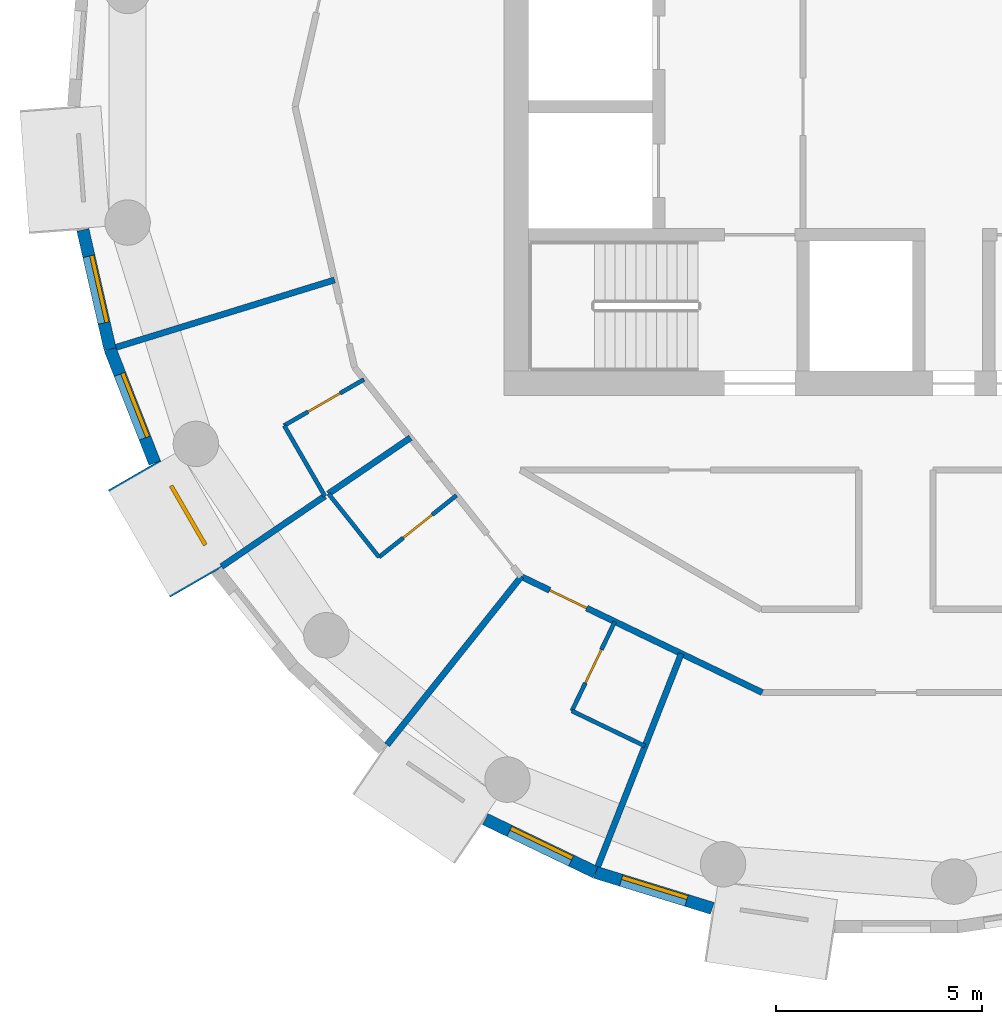
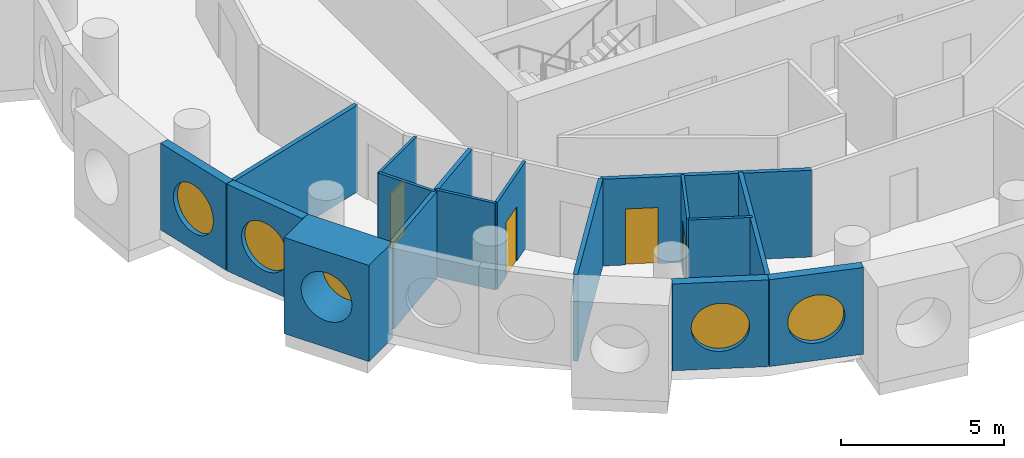
# One storey, part 2 of 13: 17 walls, 5 windows, 4 doors, 9 openings.
"""IFC4 building model written with IfcOpenShell, lengths in metres."""

import ifcopenshell
import ifcopenshell.guid

model = None  # the IFC model being written
_history = None  # IfcOwnerHistory: only IFC2X3 demands one
_inside = {}  # id of a spatial element -> (the spatial element, [elements in it])
_under = {}  # id of a project, library or spatial element -> (it, [spatial elements below it])
_declared = {}  # id of a project -> (the project, [libraries it declares])
_typed = {}  # id of a type object -> (the type object, [elements of that type])
_made_of = {}  # id of a material, layer set ... -> (it, [elements and type objects made of it])


def new_model(schema):
    """Start an empty IFC model of exactly this schema.

    Asked for "IFC4X3", IfcOpenShell would pick the latest addendum, in which some entities
    have other attributes; the version numbers below select the first issue.
    IFC2X3 requires an IfcOwnerHistory on every rooted entity: one is made here for all.
    """
    global model, _history
    if schema == "IFC4X3":
        model = ifcopenshell.file(schema_version=(4, 3, 0, 0))
    else:
        model = ifcopenshell.file(schema=schema)
    _inside.clear()
    _under.clear()
    _declared.clear()
    _typed.clear()
    _made_of.clear()
    _history = None
    if model.schema == "IFC2X3":
        org = make("IfcOrganization", Name="unknown")
        user = make(
            "IfcPersonAndOrganization",
            ThePerson=make("IfcPerson", FamilyName="unknown"),
            TheOrganization=org,
        )
        app = make(
            "IfcApplication",
            ApplicationDeveloper=org,
            Version="unknown",
            ApplicationFullName="unknown",
            ApplicationIdentifier="unknown",
        )
        _history = make(
            "IfcOwnerHistory",
            OwningUser=user,
            OwningApplication=app,
            ChangeAction="ADDED",
            CreationDate=0,
        )
    return model


def make(cls, **values):
    """One entity of the class cls with the attributes given. An attribute that is None is left unset."""
    return model.create_entity(
        cls, **{name: value for name, value in values.items() if value is not None}
    )


def rooted(cls, **values):
    """An entity with a GlobalId (a new one), such as an element, a storey or a relation."""
    return make(cls, GlobalId=ifcopenshell.guid.new(), OwnerHistory=_history, **values)


def si_unit(unit_type, name, prefix=None):
    """IfcSIUnit, for example si_unit("LENGTHUNIT", "METRE", prefix="MILLI")."""
    return make("IfcSIUnit", UnitType=unit_type, Prefix=prefix, Name=name)


def assignment(units):
    """IfcUnitAssignment: the units of a project."""
    return None if units is None else make("IfcUnitAssignment", Units=units)


def point(xyz):
    """IfcCartesianPoint."""
    return None if xyz is None else make("IfcCartesianPoint", Coordinates=xyz)


def direction(xyz):
    """IfcDirection."""
    return None if xyz is None else make("IfcDirection", DirectionRatios=xyz)


def frame(location, z_axis=None, x_axis=None):
    """IfcAxis2Placement3D, a coordinate frame: its origin and axes. An axis left out is left unset."""
    return make(
        "IfcAxis2Placement3D",
        Location=point(location),
        Axis=direction(z_axis),
        RefDirection=direction(x_axis),
    )


def frame_2d(location, x_axis=None):
    """IfcAxis2Placement2D, a coordinate frame in the plane: its origin and x axis."""
    return make(
        "IfcAxis2Placement2D", Location=point(location), RefDirection=direction(x_axis)
    )


def origin():
    """The frame at (0, 0, 0) with its axes left unset."""
    return frame((0.0, 0.0, 0.0))


def origin_2d():
    """The frame at (0, 0) in the plane with its x axis left unset."""
    return frame_2d((0.0, 0.0))


def place(relative_to, where):
    """IfcLocalPlacement: puts the frame where relative to a parent placement (None: the world)."""
    return make(
        "IfcLocalPlacement", PlacementRelTo=relative_to, RelativePlacement=where
    )


def context(
    kind, dimensions, precision=None, world=None, true_north=None, identifier=None
):
    """IfcGeometricRepresentationContext, for example the 3D "Model" context."""
    return make(
        "IfcGeometricRepresentationContext",
        ContextIdentifier=identifier,
        ContextType=kind,
        CoordinateSpaceDimension=dimensions,
        Precision=precision,
        WorldCoordinateSystem=world,
        TrueNorth=true_north,
    )


def subcontext(parent, identifier, kind, view, scale=None):
    """IfcGeometricRepresentationSubContext, for example "Body" below "Model"."""
    return make(
        "IfcGeometricRepresentationSubContext",
        ContextIdentifier=identifier,
        ContextType=kind,
        ParentContext=parent,
        TargetScale=scale,
        TargetView=view,
    )


def project(units=None, contexts=None):
    """IfcProject with its units and contexts."""
    return rooted(
        "IfcProject",
        Name="project",
        RepresentationContexts=contexts,
        UnitsInContext=assignment(units),
    )


def spatial(cls, under=None, at=None, **own):
    """A site, building, storey or space (cls), placed at a placement, below another one or the project."""
    s = rooted(cls, ObjectPlacement=at, **own)
    if under is not None:
        _under.setdefault(under.id(), (under, []))[1].append(s)
    return s


def profile(cls, at=None, kind="AREA", **sizes):
    """A parametric profile (cls). Its sizes go by their IFC names, for example OverallWidth=200.0."""
    return make(cls, ProfileType=kind, Position=at, **sizes)


def rectangle(**sizes):
    """IfcRectangleProfileDef."""
    return profile("IfcRectangleProfileDef", **sizes)


def circle(**sizes):
    """IfcCircleProfileDef."""
    return profile("IfcCircleProfileDef", **sizes)


def extrude(swept, where, along, depth):
    """IfcExtrudedAreaSolid: the profile swept, set in the frame where, extruded along a direction by depth."""
    return make(
        "IfcExtrudedAreaSolid",
        SweptArea=swept,
        Position=where,
        ExtrudedDirection=direction(along),
        Depth=depth,
    )


def shape(context_of_items, identifier, shape_type, items):
    """IfcShapeRepresentation: the items that make up one representation, for example the "Body"."""
    return make(
        "IfcShapeRepresentation",
        ContextOfItems=context_of_items,
        RepresentationIdentifier=identifier,
        RepresentationType=shape_type,
        Items=items,
    )


def material(Name=None, Category=None):
    """IfcMaterial."""
    return make("IfcMaterial", Name=Name, Category=Category)


def layer(
    of_material, thickness, ventilated=None, Name=None, Category=None, Priority=None
):
    """IfcMaterialLayer: one layer of a wall or slab, of a material (None: an air gap)."""
    return make(
        "IfcMaterialLayer",
        Material=of_material,
        LayerThickness=thickness,
        IsVentilated=ventilated,
        Name=Name,
        Category=Category,
        Priority=Priority,
    )


def layer_set(layers, Name=None):
    """IfcMaterialLayerSet."""
    return make("IfcMaterialLayerSet", MaterialLayers=layers, LayerSetName=Name)


def made_of(thing, what):
    """Note that an element or type object is made of a material, layer set ...; save() writes the relation."""
    if what is not None:
        _made_of.setdefault(what.id(), (what, []))[1].append(thing)
    return thing


def type_object(cls, material=None, **own):
    """A type object (cls), such as IfcWallType, which elements share."""
    return made_of(rooted(cls, **own), material)


def element(
    cls,
    number,
    at=None,
    inside=None,
    cuts=None,
    type_object=None,
    material=None,
    context=None,
    identifier="Body",
    shape_type=None,
    held_by="IfcProductDefinitionShape",
    body=None,
    shapes=None,
    **own,
):
    """One element of the class cls, such as IfcWall. Its Tag is "e" and its number.

    at: its placement. inside: the storey or other place that contains it. cuts: it is an
    opening in that element (IfcRelVoidsElement). A single representation is given by context,
    identifier, shape_type and body (its items); several are given by shapes. held_by: the class
    of the entity that holds the representations. save() writes the other relations.
    """
    e = rooted(cls, Tag="e%d" % number, ObjectPlacement=at, **own)
    if body is not None:
        shapes = [shape(context, identifier, shape_type, body)]
    if shapes is not None:
        e.Representation = make(held_by, Representations=shapes)
    if inside is not None:
        _inside.setdefault(inside.id(), (inside, []))[1].append(e)
    if cuts is not None:
        rooted(
            "IfcRelVoidsElement", RelatingBuildingElement=cuts, RelatedOpeningElement=e
        )
    if type_object is not None:
        _typed.setdefault(type_object.id(), (type_object, []))[1].append(e)
    return made_of(e, material)


def fill(opening, filler):
    """IfcRelFillsElement: the door or window that sits in an opening."""
    return rooted(
        "IfcRelFillsElement",
        RelatingOpeningElement=opening,
        RelatedBuildingElement=filler,
    )


def aggregate(whole, parts):
    """IfcRelAggregates: a whole, such as a stair, and the parts it consists of."""
    return rooted("IfcRelAggregates", RelatingObject=whole, RelatedObjects=parts)


def save(model, path):
    """Write the relations noted so far, then the file.

    IfcRelAggregates (storeys below a building ...), IfcRelContainedInSpatialStructure (elements
    in a storey), IfcRelDefinesByType, IfcRelAssociatesMaterial and IfcRelDeclares: one each for
    every whole, place, type object, material and project.
    """
    for whole, parts in _under.values():
        aggregate(whole, parts)
    for where, things in _inside.values():
        rooted(
            "IfcRelContainedInSpatialStructure",
            RelatedElements=things,
            RelatingStructure=where,
        )
    for kind, things in _typed.values():
        rooted("IfcRelDefinesByType", RelatedObjects=things, RelatingType=kind)
    for what, things in _made_of.values():
        rooted("IfcRelAssociatesMaterial", RelatedObjects=things, RelatingMaterial=what)
    for by, libraries in _declared.values():
        rooted("IfcRelDeclares", RelatingContext=by, RelatedDefinitions=libraries)
    model.write(path)


model = new_model("IFC4")

# Units and contexts
model_context = context("Model", 3, precision=1e-05, world=origin(), true_north=direction((0.0, 1.0)))
body_context = subcontext(model_context, "Body", "Model", "MODEL_VIEW")
ifc_project = project(units=[si_unit("LENGTHUNIT", "METRE"), si_unit("AREAUNIT", "SQUARE_METRE"), si_unit("VOLUMEUNIT", "CUBIC_METRE"), si_unit("PLANEANGLEUNIT", "RADIAN"), si_unit("MASSUNIT", "GRAM", prefix="KILO")], contexts=[model_context])

# Site, building, storey
site_placement = place(None, origin())
site = spatial("IfcSite", under=ifc_project, at=site_placement, CompositionType="ELEMENT")
building_placement = place(site_placement, origin())
building = spatial("IfcBuilding", under=site, at=building_placement, Name="Tracery Tower", CompositionType="ELEMENT")
storey_placement = place(building_placement, frame((0.0, 0.0, 252.60009765625)))
storey = spatial("IfcBuildingStorey", under=building, at=storey_placement, Name="L65", CompositionType="ELEMENT", Elevation=252.60009765625)

# Wall, opening, window
ifc_material_1 = material(Name="Precast concrete C50/60", Category="concrete")
ifc_layer_1 = layer(ifc_material_1, 1.449951171875)
ifc_layer_set_1 = layer_set([ifc_layer_1], Name="Deep-set bay unit 3000 x 3600, slab edge 350")
wall_type_1 = type_object("IfcWallType", Name="Deep-set bay unit 3000 x 3600, slab edge 350", PredefinedType="ELEMENTEDWALL", material=ifc_layer_set_1)
wall_1_placement = place(storey_placement, frame((-18.452392578125, -8.92138671875, -0.35009765625), z_axis=(0.0, 0.0, 1.0), x_axis=(0.499990139034, -0.866031096941, 0.0)))
wall_1 = element("IfcWall", 1, at=wall_1_placement, inside=storey, type_object=wall_type_1, Name="Deep-set bay unit 25 at L65", PredefinedType="ELEMENTEDWALL", context=body_context, shape_type="SweptSolid", body=[
    extrude(rectangle(XDim=3.0, YDim=1.449951171875, at=frame_2d((1.5, 0.0))), origin(), (0.0, 0.0, 1.0), 3.60009765625),
])
opening_1_placement = place(wall_1_placement, frame((1.5, 0.0, 1.89990234375)))
opening_1 = element("IfcOpeningElement", 2, at=opening_1_placement, cuts=wall_1, Name="Opening WN1", PredefinedType="OPENING", context=body_context, shape_type="SweptSolid", body=[
    extrude(circle(Radius=0.9000244140625, at=origin_2d()), frame((0.0, 0.73486328125, 0.0), z_axis=(0.0, -1.0, 0.0), x_axis=(1.0, 0.0, 0.0)), (0.0, 0.0, 1.0), 1.469970703125),
])
ifc_material_2 = material(Name="Aluminium frame with tinted double glazing", Category="aluminium")
window_type = type_object("IfcWindowType", Name="Round window 1800", PartitioningType="SINGLE_PANEL", PredefinedType="WINDOW", material=ifc_material_2)
window_1_placement = place(opening_1_placement, origin())
window_1 = element("IfcWindow", 3, at=window_1_placement, inside=storey, type_object=window_type, Name="Round window 25 at L65", OverallHeight=1.800048828125, OverallWidth=1.800048828125, PartitioningType="SINGLE_PANEL", PredefinedType="WINDOW", context=body_context, shape_type="SweptSolid", body=[
    extrude(circle(Radius=0.9000244140625, at=origin_2d()), frame((0.0, 0.69482421875, 0.0), z_axis=(0.0, -1.0, 0.0), x_axis=(1.0, 0.0, 0.0)), (0.0, 0.0, 1.0), 0.10009765625),
])
fill(opening_1, window_1)

ifc_material_3 = material(Name="Precast concrete C50/60", Category="concrete")
ifc_layer_2 = layer(ifc_material_3, 0.300048828125)
ifc_layer_set_2 = layer_set([ifc_layer_2], Name="Facade panel 3000 x 3250")
wall_type_2 = type_object("IfcWallType", Name="Facade panel 3000 x 3250", PredefinedType="SOLIDWALL", material=ifc_layer_set_2)
wall_2_placement = place(storey_placement, frame((-19.69580078125, -2.984130859375, 0.0), z_axis=(0.0, 0.0, 1.0), x_axis=(0.222529389789, -0.974925982155, 0.0)))
wall_2 = element("IfcWall", 4, at=wall_2_placement, inside=storey, type_object=wall_type_2, Name="Facade panel 23 at L65", PredefinedType="SOLIDWALL", context=body_context, shape_type="SweptSolid", body=[
    extrude(rectangle(XDim=2.962158203125, YDim=0.300048828125, at=frame_2d((1.48095703125, 0.0))), origin(), (0.0, 0.0, 1.0), 3.25),
])
opening_2_placement = place(wall_2_placement, frame((1.48095703125, 0.0, 1.5498046875)))
opening_2 = element("IfcOpeningElement", 5, at=opening_2_placement, cuts=wall_2, Name="Opening WN1", PredefinedType="OPENING", context=body_context, shape_type="SweptSolid", body=[
    extrude(circle(Radius=0.9000244140625, at=origin_2d()), frame((0.0, 0.159912109375, 0.0), z_axis=(0.0, -1.0, 0.0), x_axis=(1.0, 0.0, 0.0)), (0.0, 0.0, 1.0), 0.320068359375),
])
window_2_placement = place(opening_2_placement, origin())
window_2 = element("IfcWindow", 6, at=window_2_placement, inside=storey, type_object=window_type, Name="Round window 23 at L65", OverallHeight=1.800048828125, OverallWidth=1.800048828125, PartitioningType="SINGLE_PANEL", PredefinedType="WINDOW", context=body_context, shape_type="SweptSolid", body=[
    extrude(circle(Radius=0.9000244140625, at=origin_2d()), frame((0.0, 0.1201171875, 0.0), z_axis=(0.0, -1.0, 0.0), x_axis=(1.0, 0.0, 0.0)), (0.0, 0.0, 1.0), 0.10009765625),
])
fill(opening_2, window_2)

wall_3_placement = place(storey_placement, frame((-19.03662109375, -5.8720703125, 0.0), z_axis=(0.0, 0.0, 1.0), x_axis=(0.36530043032, -0.930889679612, 0.0)))
wall_3 = element("IfcWall", 7, at=wall_3_placement, inside=storey, type_object=wall_type_2, Name="Facade panel 24 at L65", PredefinedType="SOLIDWALL", context=body_context, shape_type="SweptSolid", body=[
    extrude(rectangle(XDim=2.9619140625, YDim=0.300048828125, at=frame_2d((1.48095703125, 0.0))), origin(), (0.0, 0.0, 1.0), 3.25),
])
opening_3_placement = place(wall_3_placement, frame((1.48095703125, 0.0, 1.5498046875)))
opening_3 = element("IfcOpeningElement", 8, at=opening_3_placement, cuts=wall_3, Name="Opening WN1", PredefinedType="OPENING", context=body_context, shape_type="SweptSolid", body=[
    extrude(circle(Radius=0.9000244140625, at=origin_2d()), frame((0.0, 0.159912109375, 0.0), z_axis=(0.0, -1.0, 0.0), x_axis=(1.0, 0.0, 0.0)), (0.0, 0.0, 1.0), 0.320068359375),
])
window_3_placement = place(opening_3_placement, origin())
window_3 = element("IfcWindow", 9, at=window_3_placement, inside=storey, type_object=window_type, Name="Round window 24 at L65", OverallHeight=1.800048828125, OverallWidth=1.800048828125, PartitioningType="SINGLE_PANEL", PredefinedType="WINDOW", context=body_context, shape_type="SweptSolid", body=[
    extrude(circle(Radius=0.9000244140625, at=origin_2d()), frame((0.0, 0.1201171875, 0.0), z_axis=(0.0, -1.0, 0.0), x_axis=(1.0, 0.0, 0.0)), (0.0, 0.0, 1.0), 0.10009765625),
])
fill(opening_3, window_3)

wall_4_placement = place(storey_placement, frame((-9.947021484375, -17.25927734375, 0.0), z_axis=(0.0, 0.0, 1.0), x_axis=(0.900939615635, -0.433944476838, 0.0)))
wall_4 = element("IfcWall", 10, at=wall_4_placement, inside=storey, type_object=wall_type_2, Name="Facade panel 29 at L65", PredefinedType="SOLIDWALL", context=body_context, shape_type="SweptSolid", body=[
    extrude(rectangle(XDim=2.962158203125, YDim=0.300048828125, at=frame_2d((1.48095703125, 0.0))), origin(), (0.0, 0.0, 1.0), 3.25),
])
opening_4_placement = place(wall_4_placement, frame((1.48095703125, 0.0, 1.5498046875)))
opening_4 = element("IfcOpeningElement", 11, at=opening_4_placement, cuts=wall_4, Name="Opening WN1", PredefinedType="OPENING", context=body_context, shape_type="SweptSolid", body=[
    extrude(circle(Radius=0.9000244140625, at=origin_2d()), frame((0.0, 0.159912109375, 0.0), z_axis=(0.0, -1.0, 0.0), x_axis=(1.0, 0.0, 0.0)), (0.0, 0.0, 1.0), 0.320068359375),
])
window_4_placement = place(opening_4_placement, origin())
window_4 = element("IfcWindow", 12, at=window_4_placement, inside=storey, type_object=window_type, Name="Round window 29 at L65", OverallHeight=1.800048828125, OverallWidth=1.800048828125, PartitioningType="SINGLE_PANEL", PredefinedType="WINDOW", context=body_context, shape_type="SweptSolid", body=[
    extrude(circle(Radius=0.9000244140625, at=origin_2d()), frame((0.0, 0.1201171875, 0.0), z_axis=(0.0, -1.0, 0.0), x_axis=(1.0, 0.0, 0.0)), (0.0, 0.0, 1.0), 0.10009765625),
])
fill(opening_4, window_4)

wall_5_placement = place(storey_placement, frame((-7.2783203125, -18.544677734375, 0.0), z_axis=(0.0, 0.0, 1.0), x_axis=(0.95558635705, -0.294711238707, 0.0)))
wall_5 = element("IfcWall", 13, at=wall_5_placement, inside=storey, type_object=wall_type_2, Name="Facade panel 30 at L65", PredefinedType="SOLIDWALL", context=body_context, shape_type="SweptSolid", body=[
    extrude(rectangle(XDim=2.96240234375, YDim=0.300048828125, at=frame_2d((1.481201171875, 0.0))), origin(), (0.0, 0.0, 1.0), 3.25),
])
opening_5_placement = place(wall_5_placement, frame((1.48095703125, 0.0, 1.5498046875)))
opening_5 = element("IfcOpeningElement", 14, at=opening_5_placement, cuts=wall_5, Name="Opening WN1", PredefinedType="OPENING", context=body_context, shape_type="SweptSolid", body=[
    extrude(circle(Radius=0.9000244140625, at=origin_2d()), frame((0.0, 0.159912109375, 0.0), z_axis=(0.0, -1.0, 0.0), x_axis=(1.0, 0.0, 0.0)), (0.0, 0.0, 1.0), 0.320068359375),
])
window_5_placement = place(opening_5_placement, origin())
window_5 = element("IfcWindow", 15, at=window_5_placement, inside=storey, type_object=window_type, Name="Round window 30 at L65", OverallHeight=1.800048828125, OverallWidth=1.800048828125, PartitioningType="SINGLE_PANEL", PredefinedType="WINDOW", context=body_context, shape_type="SweptSolid", body=[
    extrude(circle(Radius=0.9000244140625, at=origin_2d()), frame((0.0, 0.1201171875, 0.0), z_axis=(0.0, -1.0, 0.0), x_axis=(1.0, 0.0, 0.0)), (0.0, 0.0, 1.0), 0.10009765625),
])
fill(opening_5, window_5)

# Wall, opening, door
ifc_material_4 = material(Name="Plasterboard on steel studs", Category="steel")
ifc_layer_3 = layer(ifc_material_4, 0.10009765625)
ifc_layer_set_3 = layer_set([ifc_layer_3], Name="Partition 100 wet wall")
wall_type_3 = type_object("IfcWallType", Name="Partition 100 wet wall", PredefinedType="PARTITIONING", material=ifc_layer_set_3)
wall_6_placement = place(storey_placement, frame((-14.820068359375, -7.721923828125, 0.0), z_axis=(0.0, 0.0, 1.0), x_axis=(0.866076416361, 0.499911633214, 0.0)))
wall_6 = element("IfcWall", 16, at=wall_6_placement, inside=storey, type_object=wall_type_3, Name="Wet wall RC3-070", PredefinedType="PARTITIONING", context=body_context, shape_type="SweptSolid", body=[
    extrude(rectangle(XDim=2.234375, YDim=0.10009765625, at=frame_2d((1.1171875, 0.0))), origin(), (0.0, 0.0, 1.0), 3.25),
])
opening_6_placement = place(wall_6_placement, frame((0.667236328125, 0.0, 0.0)))
opening_6 = element("IfcOpeningElement", 17, at=opening_6_placement, cuts=wall_6, Name="Opening RC3-18", PredefinedType="OPENING", context=body_context, shape_type="SweptSolid", body=[
    extrude(rectangle(XDim=0.89990234375, YDim=2.0400390625, at=frame_2d((0.449951171875, 1.02001953125))), frame((0.0, 0.050048828125, 0.0), z_axis=(0.0, -1.0, 0.0), x_axis=(1.0, 0.0, 0.0)), (0.0, 0.0, 1.0), 0.10009765625),
])
ifc_material_5 = material(Name="Timber door leaf", Category="wood")
door_type_1 = type_object("IfcDoorType", Name="Door en-suite 900", OperationType="NOTDEFINED", PredefinedType="DOOR", material=ifc_material_5)
door_1_placement = place(opening_6_placement, origin())
door_1 = element("IfcDoor", 18, at=door_1_placement, inside=storey, type_object=door_type_1, Name="En-suite door RC3-18", OperationType="SINGLE_SWING_LEFT", OverallHeight=2.0400390625, OverallWidth=0.89990234375, PredefinedType="DOOR", context=body_context, shape_type="SweptSolid", body=[
    extrude(rectangle(XDim=0.89990234375, YDim=2.0400390625, at=frame_2d((0.449951171875, 1.02001953125))), frame((0.0, 0.02490234375, 0.0), z_axis=(0.0, -1.0, 0.0), x_axis=(1.0, 0.0, 0.0)), (0.0, 0.0, 1.0), 0.050048828125),
])
fill(opening_6, door_1)

# Walls
wall_7_placement = place(storey_placement, frame((-14.820068359375, -7.721923828125, 0.0), z_axis=(0.0, 0.0, 1.0), x_axis=(0.500143626598, -0.865942465048, 0.0)))
element("IfcWall", 19, at=wall_7_placement, inside=storey, type_object=wall_type_3, Name="Wet wall RC3-071", PredefinedType="PARTITIONING", context=body_context, shape_type="SweptSolid", body=[
    extrude(rectangle(XDim=1.9736328125, YDim=0.10009765625, at=frame_2d((0.98681640625, 0.0))), origin(), (0.0, 0.0, 1.0), 3.25),
])
wall_8_placement = place(storey_placement, frame((-13.7470703125, -9.373046875, 0.0), z_axis=(0.0, 0.0, 1.0), x_axis=(0.623330716607, -0.781958322249, 0.0)))
element("IfcWall", 20, at=wall_8_placement, inside=storey, type_object=wall_type_3, Name="Wet wall RC3-074", PredefinedType="PARTITIONING", context=body_context, shape_type="SweptSolid", body=[
    extrude(rectangle(XDim=1.96533203125, YDim=0.10009765625, at=frame_2d((0.982666015625, 0.0))), origin(), (0.0, 0.0, 1.0), 3.25),
])

# Wall, opening, door
wall_9_placement = place(storey_placement, frame((-12.52197265625, -10.909912109375, 0.0), z_axis=(0.0, 0.0, 1.0), x_axis=(0.781830263661, 0.623491330191, 0.0)))
wall_9 = element("IfcWall", 21, at=wall_9_placement, inside=storey, type_object=wall_type_3, Name="Wet wall RC3-075", PredefinedType="PARTITIONING", context=body_context, shape_type="SweptSolid", body=[
    extrude(rectangle(XDim=2.400634765625, YDim=0.10009765625, at=frame_2d((1.2001953125, 0.0))), origin(), (0.0, 0.0, 1.0), 3.25),
])
opening_7_placement = place(wall_9_placement, frame((0.75, 0.0, 0.0)))
opening_7 = element("IfcOpeningElement", 22, at=opening_7_placement, cuts=wall_9, Name="Opening RC3-20", PredefinedType="OPENING", context=body_context, shape_type="SweptSolid", body=[
    extrude(rectangle(XDim=0.89990234375, YDim=2.0400390625, at=frame_2d((0.449951171875, 1.02001953125))), frame((0.0, 0.050048828125, 0.0), z_axis=(0.0, -1.0, 0.0), x_axis=(1.0, 0.0, 0.0)), (0.0, 0.0, 1.0), 0.10009765625),
])
door_2_placement = place(opening_7_placement, origin())
door_2 = element("IfcDoor", 23, at=door_2_placement, inside=storey, type_object=door_type_1, Name="En-suite door RC3-20", OperationType="SINGLE_SWING_LEFT", OverallHeight=2.0400390625, OverallWidth=0.89990234375, PredefinedType="DOOR", context=body_context, shape_type="SweptSolid", body=[
    extrude(rectangle(XDim=0.89990234375, YDim=2.0400390625, at=frame_2d((0.449951171875, 1.02001953125))), frame((0.0, 0.02490234375, 0.0), z_axis=(0.0, -1.0, 0.0), x_axis=(1.0, 0.0, 0.0)), (0.0, 0.0, 1.0), 0.050048828125),
])
fill(opening_7, door_2)

wall_10_placement = place(storey_placement, frame((-7.85009765625, -14.635009765625, 0.0), z_axis=(0.0, 0.0, 1.0), x_axis=(0.433815618773, 0.901001669759, 0.0)))
wall_10 = element("IfcWall", 24, at=wall_10_placement, inside=storey, type_object=wall_type_3, Name="Wet wall RC3-077", PredefinedType="PARTITIONING", context=body_context, shape_type="SweptSolid", body=[
    extrude(rectangle(XDim=2.399658203125, YDim=0.10009765625, at=frame_2d((1.19970703125, 0.0))), origin(), (0.0, 0.0, 1.0), 3.25),
])
opening_8_placement = place(wall_10_placement, frame((0.74951171875, 0.0, 0.0)))
opening_8 = element("IfcOpeningElement", 25, at=opening_8_placement, cuts=wall_10, Name="Opening RC3-22", PredefinedType="OPENING", context=body_context, shape_type="SweptSolid", body=[
    extrude(rectangle(XDim=0.89990234375, YDim=2.0400390625, at=frame_2d((0.449951171875, 1.02001953125))), frame((0.0, 0.050048828125, 0.0), z_axis=(0.0, -1.0, 0.0), x_axis=(1.0, 0.0, 0.0)), (0.0, 0.0, 1.0), 0.10009765625),
])
door_3_placement = place(opening_8_placement, origin())
door_3 = element("IfcDoor", 26, at=door_3_placement, inside=storey, type_object=door_type_1, Name="En-suite door RC3-22", OperationType="SINGLE_SWING_RIGHT", OverallHeight=2.0400390625, OverallWidth=0.89990234375, PredefinedType="DOOR", context=body_context, shape_type="SweptSolid", body=[
    extrude(rectangle(XDim=0.89990234375, YDim=2.0400390625, at=frame_2d((0.449951171875, 1.02001953125))), frame((0.0, 0.02490234375, 0.0), z_axis=(0.0, -1.0, 0.0), x_axis=(1.0, 0.0, 0.0)), (0.0, 0.0, 1.0), 0.050048828125),
])
fill(opening_8, door_3)

# Walls
wall_11_placement = place(storey_placement, frame((-7.85009765625, -14.635009765625, 0.0), z_axis=(0.0, 0.0, 1.0), x_axis=(0.900936932599, -0.433950047216, 0.0)))
element("IfcWall", 27, at=wall_11_placement, inside=storey, type_object=wall_type_3, Name="Wet wall RC3-078", PredefinedType="PARTITIONING", context=body_context, shape_type="SweptSolid", body=[
    extrude(rectangle(XDim=1.9658203125, YDim=0.10009765625, at=frame_2d((0.98291015625, 0.0))), origin(), (0.0, 0.0, 1.0), 3.25),
])
ifc_material_6 = material(Name="Plasterboard on steel studs", Category="steel")
ifc_layer_4 = layer(ifc_material_6, 0.14990234375)
ifc_layer_set_4 = layer_set([ifc_layer_4], Name="Partition 150 acoustic unit wall")
wall_type_4 = type_object("IfcWallType", Name="Partition 150 acoustic unit wall", PredefinedType="PARTITIONING", material=ifc_layer_set_4)
wall_12_placement = place(storey_placement, frame((-18.89306640625, -5.827880859375, 0.0), z_axis=(0.0, 0.0, 1.0), x_axis=(0.955580602693, 0.294729896274, 0.0)))
element("IfcWall", 28, at=wall_12_placement, inside=storey, type_object=wall_type_4, Name="Unit wall RC3-069", PredefinedType="PARTITIONING", context=body_context, shape_type="SweptSolid", body=[
    extrude(rectangle(XDim=5.5400390625, YDim=0.14990234375, at=frame_2d((2.77001953125, 0.0))), origin(), (0.0, 0.0, 1.0), 3.25),
])
wall_13_placement = place(storey_placement, frame((-16.3359375, -11.137939453125, 0.0), z_axis=(0.0, 0.0, 1.0), x_axis=(0.826152320289, 0.56344684193, 0.0)))
element("IfcWall", 29, at=wall_13_placement, inside=storey, type_object=wall_type_4, Name="Unit wall RC3-072", PredefinedType="PARTITIONING", context=body_context, shape_type="SweptSolid", body=[
    extrude(rectangle(XDim=3.029541015625, YDim=0.14990234375, at=frame_2d((1.5146484375, 0.0))), origin(), (0.0, 0.0, 1.0), 3.25),
])
wall_14_placement = place(storey_placement, frame((-13.75, -9.375, 0.0), z_axis=(0.0, 0.0, 1.0), x_axis=(0.826143746222, 0.563459413426, 0.0)))
element("IfcWall", 30, at=wall_14_placement, inside=storey, type_object=wall_type_4, Name="Unit wall RC3-073", PredefinedType="PARTITIONING", context=body_context, shape_type="SweptSolid", body=[
    extrude(rectangle(XDim=2.409912109375, YDim=0.14990234375, at=frame_2d((1.205078125, 0.0))), origin(), (0.0, 0.0, 1.0), 3.25),
])
wall_15_placement = place(storey_placement, frame((-12.326904296875, -15.4580078125, 0.0), z_axis=(0.0, 0.0, 1.0), x_axis=(0.623460949534, 0.781854490558, 0.0)))
element("IfcWall", 31, at=wall_15_placement, inside=storey, type_object=wall_type_4, Name="Unit wall RC3-076", PredefinedType="PARTITIONING", context=body_context, shape_type="SweptSolid", body=[
    extrude(rectangle(XDim=5.21435546875, YDim=0.14990234375, at=frame_2d((2.607177734375, 0.0))), origin(), (0.0, 0.0, 1.0), 3.25),
])
wall_16_placement = place(storey_placement, frame((-7.222900390625, -18.405029296875, 0.0), z_axis=(0.0, 0.0, 1.0), x_axis=(0.36511374114, 0.930962918719, 0.0)))
element("IfcWall", 32, at=wall_16_placement, inside=storey, type_object=wall_type_4, Name="Unit wall RC3-079", PredefinedType="PARTITIONING", context=body_context, shape_type="SweptSolid", body=[
    extrude(rectangle(XDim=5.5400390625, YDim=0.14990234375, at=frame_2d((2.77001953125, 0.0))), origin(), (0.0, 0.0, 1.0), 3.25),
])

# Wall, opening, door
ifc_material_7 = material(Name="Plasterboard on steel studs", Category="steel")
ifc_layer_5 = layer(ifc_material_7, 0.14990234375)
ifc_layer_set_5 = layer_set([ifc_layer_5], Name="Partition 150 corridor wall")
wall_type_5 = type_object("IfcWallType", Name="Partition 150 corridor wall", PredefinedType="PARTITIONING", material=ifc_layer_set_5)
wall_17_placement = place(storey_placement, frame((-9.075927734375, -11.381103515625, 0.0), z_axis=(0.0, 0.0, 1.0), x_axis=(0.901070942113, -0.433671716024, 0.0)))
wall_17 = element("IfcWall", 33, at=wall_17_placement, inside=storey, type_object=wall_type_5, Name="Corridor wall RC3-043", PredefinedType="PARTITIONING", context=body_context, shape_type="SweptSolid", body=[
    extrude(rectangle(XDim=6.478515625, YDim=0.14990234375, at=frame_2d((3.2392578125, 0.0))), origin(), (0.0, 0.0, 1.0), 3.25),
])
opening_9_placement = place(wall_17_placement, frame((0.76025390625, 0.0, 0.0)))
opening_9 = element("IfcOpeningElement", 34, at=opening_9_placement, cuts=wall_17, Name="Opening RC3-23", PredefinedType="OPENING", context=body_context, shape_type="SweptSolid", body=[
    extrude(rectangle(XDim=1.0, YDim=2.10009765625, at=frame_2d((0.5, 1.050048828125))), frame((0.0, 0.074951171875, 0.0), z_axis=(0.0, -1.0, 0.0), x_axis=(1.0, 0.0, 0.0)), (0.0, 0.0, 1.0), 0.14990234375),
])
ifc_material_8 = material(Name="Timber door leaf", Category="wood")
door_type_2 = type_object("IfcDoorType", Name="Door unit entrance 1000", OperationType="NOTDEFINED", PredefinedType="DOOR", material=ifc_material_8)
door_4_placement = place(opening_9_placement, origin())
door_4 = element("IfcDoor", 35, at=door_4_placement, inside=storey, type_object=door_type_2, Name="Unit entrance door RC3-23", OperationType="SINGLE_SWING_LEFT", OverallHeight=2.10009765625, OverallWidth=1.0, PredefinedType="DOOR", context=body_context, shape_type="SweptSolid", body=[
    extrude(rectangle(XDim=1.0, YDim=2.10009765625, at=frame_2d((0.5, 1.050048828125))), frame((0.0, 0.02490234375, 0.0), z_axis=(0.0, -1.0, 0.0), x_axis=(1.0, 0.0, 0.0)), (0.0, 0.0, 1.0), 0.050048828125),
])
fill(opening_9, door_4)

save(model, "model.ifc")
